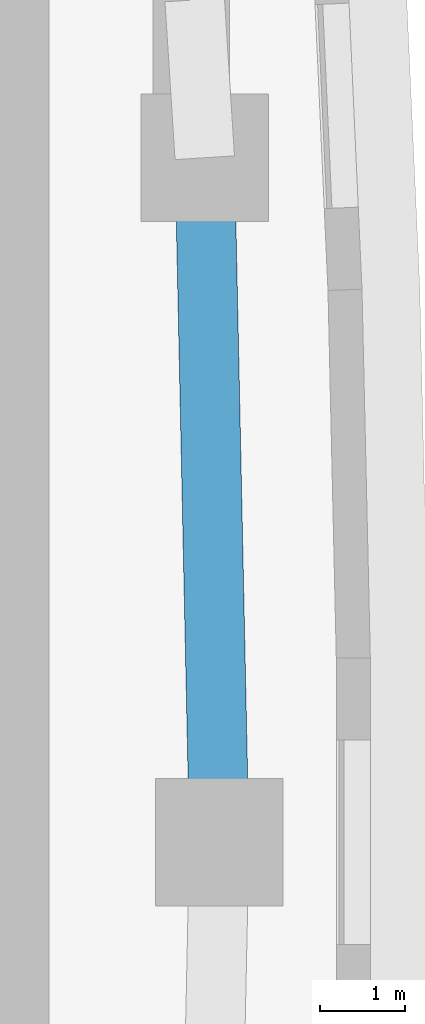
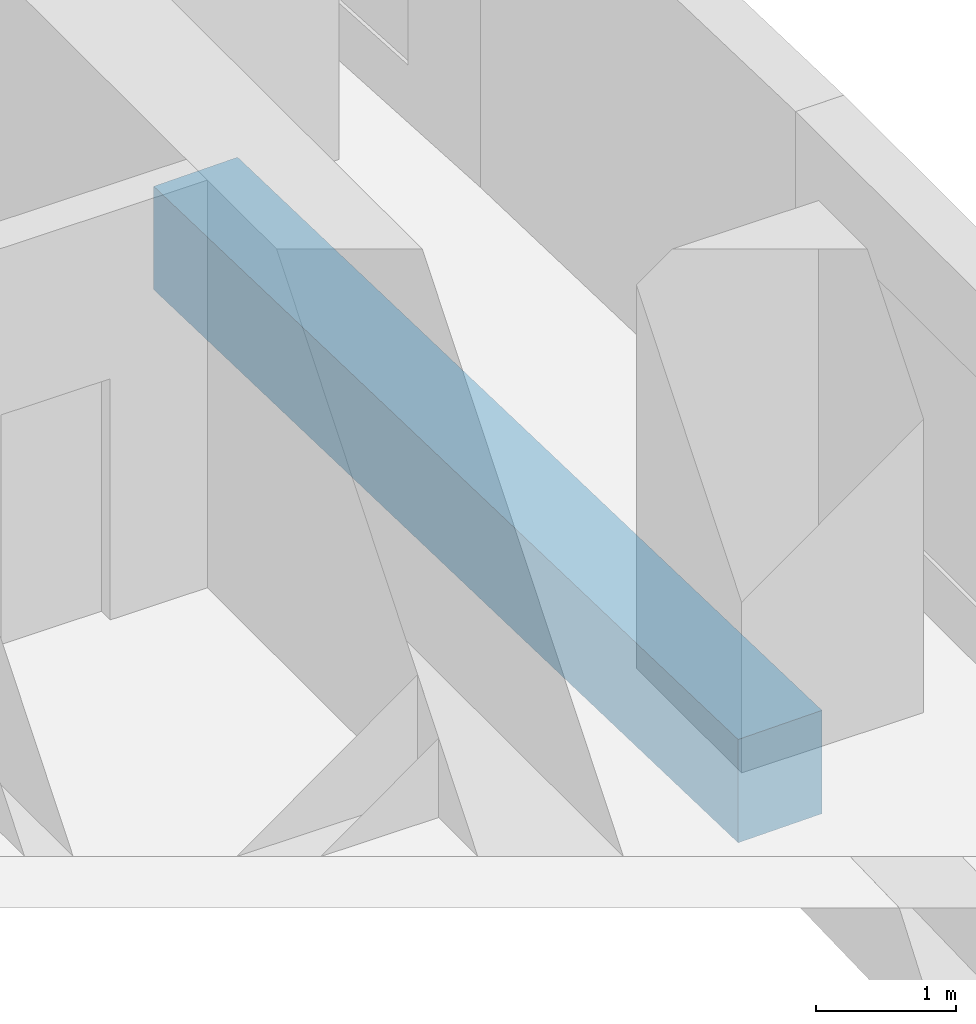
# One storey, part 4 of 17: 1 beam.
"""IFC4 building model written with IfcOpenShell, lengths in metres."""

import ifcopenshell
import ifcopenshell.guid

model = None  # the IFC model being written
_history = None  # IfcOwnerHistory: only IFC2X3 demands one
_inside = {}  # id of a spatial element -> (the spatial element, [elements in it])
_under = {}  # id of a project, library or spatial element -> (it, [spatial elements below it])
_declared = {}  # id of a project -> (the project, [libraries it declares])
_typed = {}  # id of a type object -> (the type object, [elements of that type])
_made_of = {}  # id of a material, layer set ... -> (it, [elements and type objects made of it])


def new_model(schema):
    """Start an empty IFC model of exactly this schema.

    Asked for "IFC4X3", IfcOpenShell would pick the latest addendum, in which some entities
    have other attributes; the version numbers below select the first issue.
    IFC2X3 requires an IfcOwnerHistory on every rooted entity: one is made here for all.
    """
    global model, _history
    if schema == "IFC4X3":
        model = ifcopenshell.file(schema_version=(4, 3, 0, 0))
    else:
        model = ifcopenshell.file(schema=schema)
    _inside.clear()
    _under.clear()
    _declared.clear()
    _typed.clear()
    _made_of.clear()
    _history = None
    if model.schema == "IFC2X3":
        org = make("IfcOrganization", Name="unknown")
        user = make(
            "IfcPersonAndOrganization",
            ThePerson=make("IfcPerson", FamilyName="unknown"),
            TheOrganization=org,
        )
        app = make(
            "IfcApplication",
            ApplicationDeveloper=org,
            Version="unknown",
            ApplicationFullName="unknown",
            ApplicationIdentifier="unknown",
        )
        _history = make(
            "IfcOwnerHistory",
            OwningUser=user,
            OwningApplication=app,
            ChangeAction="ADDED",
            CreationDate=0,
        )
    return model


def make(cls, **values):
    """One entity of the class cls with the attributes given. An attribute that is None is left unset."""
    return model.create_entity(
        cls, **{name: value for name, value in values.items() if value is not None}
    )


def rooted(cls, **values):
    """An entity with a GlobalId (a new one), such as an element, a storey or a relation."""
    return make(cls, GlobalId=ifcopenshell.guid.new(), OwnerHistory=_history, **values)


def si_unit(unit_type, name, prefix=None):
    """IfcSIUnit, for example si_unit("LENGTHUNIT", "METRE", prefix="MILLI")."""
    return make("IfcSIUnit", UnitType=unit_type, Prefix=prefix, Name=name)


def assignment(units):
    """IfcUnitAssignment: the units of a project."""
    return None if units is None else make("IfcUnitAssignment", Units=units)


def point(xyz):
    """IfcCartesianPoint."""
    return None if xyz is None else make("IfcCartesianPoint", Coordinates=xyz)


def direction(xyz):
    """IfcDirection."""
    return None if xyz is None else make("IfcDirection", DirectionRatios=xyz)


def frame(location, z_axis=None, x_axis=None):
    """IfcAxis2Placement3D, a coordinate frame: its origin and axes. An axis left out is left unset."""
    return make(
        "IfcAxis2Placement3D",
        Location=point(location),
        Axis=direction(z_axis),
        RefDirection=direction(x_axis),
    )


def frame_2d(location, x_axis=None):
    """IfcAxis2Placement2D, a coordinate frame in the plane: its origin and x axis."""
    return make(
        "IfcAxis2Placement2D", Location=point(location), RefDirection=direction(x_axis)
    )


def origin():
    """The frame at (0, 0, 0) with its axes left unset."""
    return frame((0.0, 0.0, 0.0))


def origin_2d():
    """The frame at (0, 0) in the plane with its x axis left unset."""
    return frame_2d((0.0, 0.0))


def place(relative_to, where):
    """IfcLocalPlacement: puts the frame where relative to a parent placement (None: the world)."""
    return make(
        "IfcLocalPlacement", PlacementRelTo=relative_to, RelativePlacement=where
    )


def context(
    kind, dimensions, precision=None, world=None, true_north=None, identifier=None
):
    """IfcGeometricRepresentationContext, for example the 3D "Model" context."""
    return make(
        "IfcGeometricRepresentationContext",
        ContextIdentifier=identifier,
        ContextType=kind,
        CoordinateSpaceDimension=dimensions,
        Precision=precision,
        WorldCoordinateSystem=world,
        TrueNorth=true_north,
    )


def subcontext(parent, identifier, kind, view, scale=None):
    """IfcGeometricRepresentationSubContext, for example "Body" below "Model"."""
    return make(
        "IfcGeometricRepresentationSubContext",
        ContextIdentifier=identifier,
        ContextType=kind,
        ParentContext=parent,
        TargetScale=scale,
        TargetView=view,
    )


def project(units=None, contexts=None):
    """IfcProject with its units and contexts."""
    return rooted(
        "IfcProject",
        Name="project",
        RepresentationContexts=contexts,
        UnitsInContext=assignment(units),
    )


def spatial(cls, under=None, at=None, **own):
    """A site, building, storey or space (cls), placed at a placement, below another one or the project."""
    s = rooted(cls, ObjectPlacement=at, **own)
    if under is not None:
        _under.setdefault(under.id(), (under, []))[1].append(s)
    return s


def profile(cls, at=None, kind="AREA", **sizes):
    """A parametric profile (cls). Its sizes go by their IFC names, for example OverallWidth=200.0."""
    return make(cls, ProfileType=kind, Position=at, **sizes)


def rectangle(**sizes):
    """IfcRectangleProfileDef."""
    return profile("IfcRectangleProfileDef", **sizes)


def extrude(swept, where, along, depth):
    """IfcExtrudedAreaSolid: the profile swept, set in the frame where, extruded along a direction by depth."""
    return make(
        "IfcExtrudedAreaSolid",
        SweptArea=swept,
        Position=where,
        ExtrudedDirection=direction(along),
        Depth=depth,
    )


def shape(context_of_items, identifier, shape_type, items):
    """IfcShapeRepresentation: the items that make up one representation, for example the "Body"."""
    return make(
        "IfcShapeRepresentation",
        ContextOfItems=context_of_items,
        RepresentationIdentifier=identifier,
        RepresentationType=shape_type,
        Items=items,
    )


def material(Name=None, Category=None):
    """IfcMaterial."""
    return make("IfcMaterial", Name=Name, Category=Category)


def material_profile(
    of_material, cross_section, Name=None, Category=None, Priority=None
):
    """IfcMaterialProfile: a cross section and its material."""
    return make(
        "IfcMaterialProfile",
        Name=Name,
        Material=of_material,
        Profile=cross_section,
        Priority=Priority,
        Category=Category,
    )


def profile_set(profiles, Name=None, composite=None):
    """IfcMaterialProfileSet."""
    return make(
        "IfcMaterialProfileSet",
        Name=Name,
        MaterialProfiles=profiles,
        CompositeProfile=composite,
    )


def made_of(thing, what):
    """Note that an element or type object is made of a material, layer set ...; save() writes the relation."""
    if what is not None:
        _made_of.setdefault(what.id(), (what, []))[1].append(thing)
    return thing


def type_object(cls, material=None, **own):
    """A type object (cls), such as IfcWallType, which elements share."""
    return made_of(rooted(cls, **own), material)


def element(
    cls,
    number,
    at=None,
    inside=None,
    cuts=None,
    type_object=None,
    material=None,
    context=None,
    identifier="Body",
    shape_type=None,
    held_by="IfcProductDefinitionShape",
    body=None,
    shapes=None,
    **own,
):
    """One element of the class cls, such as IfcWall. Its Tag is "e" and its number.

    at: its placement. inside: the storey or other place that contains it. cuts: it is an
    opening in that element (IfcRelVoidsElement). A single representation is given by context,
    identifier, shape_type and body (its items); several are given by shapes. held_by: the class
    of the entity that holds the representations. save() writes the other relations.
    """
    e = rooted(cls, Tag="e%d" % number, ObjectPlacement=at, **own)
    if body is not None:
        shapes = [shape(context, identifier, shape_type, body)]
    if shapes is not None:
        e.Representation = make(held_by, Representations=shapes)
    if inside is not None:
        _inside.setdefault(inside.id(), (inside, []))[1].append(e)
    if cuts is not None:
        rooted(
            "IfcRelVoidsElement", RelatingBuildingElement=cuts, RelatedOpeningElement=e
        )
    if type_object is not None:
        _typed.setdefault(type_object.id(), (type_object, []))[1].append(e)
    return made_of(e, material)


def aggregate(whole, parts):
    """IfcRelAggregates: a whole, such as a stair, and the parts it consists of."""
    return rooted("IfcRelAggregates", RelatingObject=whole, RelatedObjects=parts)


def save(model, path):
    """Write the relations noted so far, then the file.

    IfcRelAggregates (storeys below a building ...), IfcRelContainedInSpatialStructure (elements
    in a storey), IfcRelDefinesByType, IfcRelAssociatesMaterial and IfcRelDeclares: one each for
    every whole, place, type object, material and project.
    """
    for whole, parts in _under.values():
        aggregate(whole, parts)
    for where, things in _inside.values():
        rooted(
            "IfcRelContainedInSpatialStructure",
            RelatedElements=things,
            RelatingStructure=where,
        )
    for kind, things in _typed.values():
        rooted("IfcRelDefinesByType", RelatedObjects=things, RelatingType=kind)
    for what, things in _made_of.values():
        rooted("IfcRelAssociatesMaterial", RelatedObjects=things, RelatingMaterial=what)
    for by, libraries in _declared.values():
        rooted("IfcRelDeclares", RelatingContext=by, RelatedDefinitions=libraries)
    model.write(path)


model = new_model("IFC4")

# Units and contexts
model_context = context("Model", 3, precision=1e-05, world=origin(), true_north=direction((0.0, 1.0)))
body_context = subcontext(model_context, "Body", "Model", "MODEL_VIEW")
ifc_project = project(units=[si_unit("LENGTHUNIT", "METRE"), si_unit("AREAUNIT", "SQUARE_METRE"), si_unit("VOLUMEUNIT", "CUBIC_METRE"), si_unit("PLANEANGLEUNIT", "RADIAN"), si_unit("MASSUNIT", "GRAM", prefix="KILO")], contexts=[model_context])

# Site, building, storey
site_placement = place(None, origin())
site = spatial("IfcSite", under=ifc_project, at=site_placement, CompositionType="ELEMENT")
building_placement = place(site_placement, origin())
building = spatial("IfcBuilding", under=site, at=building_placement, Name="Ostrand Prow Hotel Tower", CompositionType="ELEMENT")
storey_placement = place(building_placement, frame((0.0, 0.0, 155.050048828125)))
storey = spatial("IfcBuildingStorey", under=building, at=storey_placement, Name="L38", CompositionType="ELEMENT", Elevation=155.050048828125)

# Beam
ifc_material = material(Name="Concrete C70/85", Category="concrete")
ifc_material_profile = material_profile(ifc_material, rectangle(XDim=0.699951171875, YDim=0.89990234375, at=origin_2d()), Name="RC 700x900")
ifc_profile_set = profile_set([ifc_material_profile], Name="Concrete C70/85")
beam_type = type_object("IfcBeamType", Name="Edge beam 700x900 C70/85", PredefinedType="SPANDREL", material=ifc_profile_set)
beam_placement = place(storey_placement, frame((64.5, 0.0, -0.75), z_axis=(-0.021178217658, 0.999775716397, 0.0), x_axis=(-0.999775716397, -0.021178217658, 0.0)))
element("IfcBeam", 1, at=beam_placement, inside=storey, type_object=beam_type, Name="Edge beam B3-B4", PredefinedType="SPANDREL", context=body_context, shape_type="SweptSolid", body=[
    extrude(rectangle(XDim=0.699951171875, YDim=0.89990234375, at=origin_2d()), origin(), (0.0, 0.0, 1.0), 8.04638671875),
])

save(model, "model.ifc")
